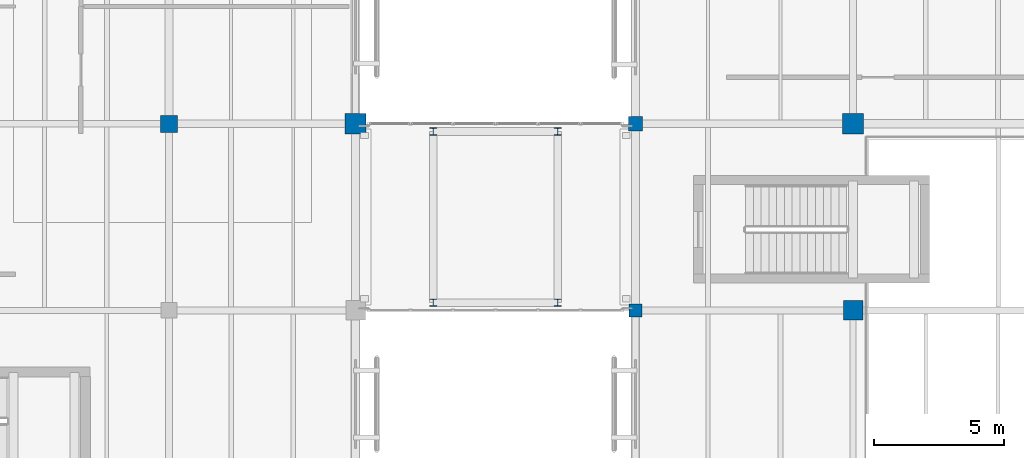
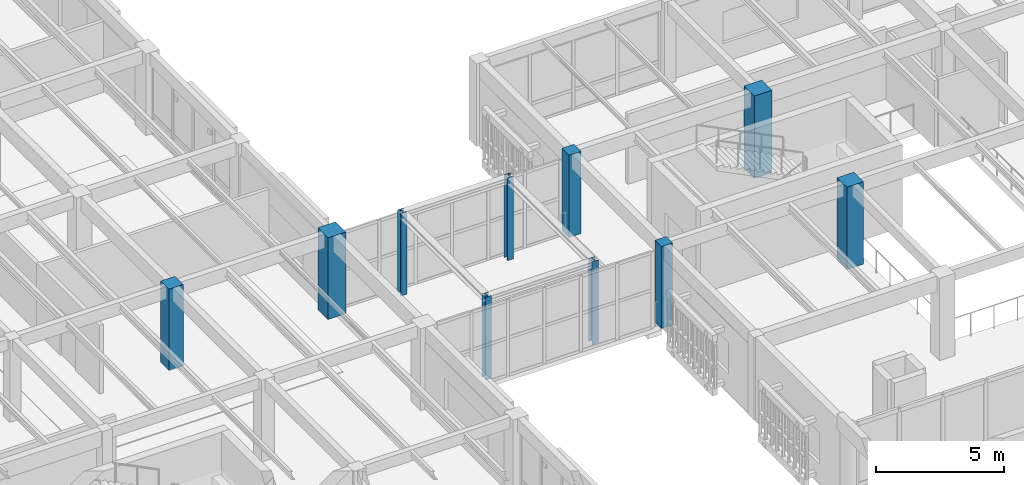
# One storey, part 2 of 170: 10 columns.
"""IFC4 building model written with IfcOpenShell, lengths in metres."""

from ifc_helpers import new_model, si_unit, direction, frame, origin, origin_2d, place, context, subcontext, project, spatial, rectangle, i_section, extrude, material, material_profile, profile_set, type_object, element, save


model = new_model("IFC4")

# Units and contexts
model_context = context("Model", 3, precision=1e-05, world=origin(), true_north=direction((0.0, 1.0)))
body_context = subcontext(model_context, "Body", "Model", "MODEL_VIEW")
ifc_project = project(units=[si_unit("LENGTHUNIT", "METRE"), si_unit("AREAUNIT", "SQUARE_METRE"), si_unit("VOLUMEUNIT", "CUBIC_METRE"), si_unit("PLANEANGLEUNIT", "RADIAN"), si_unit("MASSUNIT", "GRAM", prefix="KILO")], contexts=[model_context])

# Site, building, storey
site_placement = place(None, origin())
site = spatial("IfcSite", under=ifc_project, at=site_placement, CompositionType="ELEMENT")
building_placement = place(site_placement, origin())
building = spatial("IfcBuilding", under=site, at=building_placement, Name="Mazaris Harbour Polytechnic", CompositionType="ELEMENT")
storey_placement = place(building_placement, frame((0.0, 0.0, 5.39990234375)))
storey = spatial("IfcBuildingStorey", under=building, at=storey_placement, Name="L01", CompositionType="ELEMENT", Elevation=5.39990234375)

# Columns
ifc_material_1 = material(Name="Concrete C40/50", Category="concrete")
ifc_material_profile_1 = material_profile(ifc_material_1, rectangle(XDim=0.5, YDim=0.5, at=origin_2d()), Name="RECT500x500")
ifc_profile_set_1 = profile_set([ifc_material_profile_1], Name="Concrete C40/50")
column_type_1 = type_object("IfcColumnType", Name="RC Column 500x500 Exterior", PredefinedType="COLUMN", material=ifc_profile_set_1)
column_1_placement = place(storey_placement, frame((54.0, 21.60009765625, 0.0), z_axis=(0.0, 0.0, 1.0), x_axis=(1.0, 0.0, 0.0)))
element("IfcColumn", 1, at=column_1_placement, inside=storey, type_object=column_type_1, Name="V3 L01 Column 470", PredefinedType="COLUMN", context=body_context, shape_type="SweptSolid", body=[
    extrude(rectangle(XDim=0.5, YDim=0.5, at=origin_2d()), origin(), (0.0, 0.0, 1.0), 3.920166015625),
])
ifc_material_2 = material(Name="Concrete C40/50", Category="concrete")
ifc_material_profile_2 = material_profile(ifc_material_2, rectangle(XDim=0.550048828125, YDim=0.550048828125, at=origin_2d()), Name="RECT550x550")
ifc_profile_set_2 = profile_set([ifc_material_profile_2], Name="Concrete C40/50")
column_type_2 = type_object("IfcColumnType", Name="RC Column 550x550 Exterior", PredefinedType="COLUMN", material=ifc_profile_set_2)
column_2_placement = place(storey_placement, frame((54.0, 28.800048828125, 0.0), z_axis=(0.0, 0.0, 1.0), x_axis=(1.0, 0.0, 0.0)))
element("IfcColumn", 2, at=column_2_placement, inside=storey, type_object=column_type_2, Name="V3 L01 Column 471", PredefinedType="COLUMN", context=body_context, shape_type="SweptSolid", body=[
    extrude(rectangle(XDim=0.550048828125, YDim=0.550048828125, at=origin_2d()), origin(), (0.0, 0.0, 1.0), 3.920166015625),
])
ifc_material_3 = material(Name="Concrete C40/50", Category="concrete")
ifc_material_profile_3 = material_profile(ifc_material_3, rectangle(XDim=0.64990234375, YDim=0.64990234375, at=origin_2d()), Name="RECT650x650")
ifc_profile_set_3 = profile_set([ifc_material_profile_3], Name="Concrete C40/50")
column_type_3 = type_object("IfcColumnType", Name="RC Column 650x650", PredefinedType="COLUMN", material=ifc_profile_set_3)
column_3_placement = place(storey_placement, frame((36.0, 28.800048828125, 0.0), z_axis=(0.0, 0.0, 1.0), x_axis=(1.0, 0.0, 0.0)))
element("IfcColumn", 3, at=column_3_placement, inside=storey, type_object=column_type_3, Name="V4 L01 Column 793", PredefinedType="COLUMN", context=body_context, shape_type="SweptSolid", body=[
    extrude(rectangle(XDim=0.64990234375, YDim=0.64990234375, at=origin_2d()), origin(), (0.0, 0.0, 1.0), 3.89013671875),
])
ifc_material_4 = material(Name="Concrete C40/50", Category="concrete")
ifc_material_profile_4 = material_profile(ifc_material_4, rectangle(XDim=0.75, YDim=0.75, at=origin_2d()), Name="RECT750x750")
ifc_profile_set_4 = profile_set([ifc_material_profile_4], Name="Concrete C40/50")
column_type_4 = type_object("IfcColumnType", Name="RC Column 750x750", PredefinedType="COLUMN", material=ifc_profile_set_4)
column_4_placement = place(storey_placement, frame((62.39990234375, 21.60009765625, 0.0), z_axis=(0.0, 0.0, 1.0), x_axis=(1.0, 0.0, 0.0)))
element("IfcColumn", 4, at=column_4_placement, inside=storey, type_object=column_type_4, Name="V3 L01 Column 475", PredefinedType="COLUMN", context=body_context, shape_type="SweptSolid", body=[
    extrude(rectangle(XDim=0.75, YDim=0.75, at=origin_2d()), origin(), (0.0, 0.0, 1.0), 3.920166015625),
])
ifc_material_5 = material(Name="Concrete C40/50", Category="concrete")
ifc_material_profile_5 = material_profile(ifc_material_5, rectangle(XDim=0.800048828125, YDim=0.800048828125, at=origin_2d()), Name="RECT800x800")
ifc_profile_set_5 = profile_set([ifc_material_profile_5], Name="Concrete C40/50")
column_type_5 = type_object("IfcColumnType", Name="RC Column 800x800", PredefinedType="COLUMN", material=ifc_profile_set_5)
column_5_placement = place(storey_placement, frame((62.39990234375, 28.800048828125, 0.0), z_axis=(0.0, 0.0, 1.0), x_axis=(1.0, 0.0, 0.0)))
element("IfcColumn", 5, at=column_5_placement, inside=storey, type_object=column_type_5, Name="V3 L01 Column 476", PredefinedType="COLUMN", context=body_context, shape_type="SweptSolid", body=[
    extrude(rectangle(XDim=0.800048828125, YDim=0.800048828125, at=origin_2d()), origin(), (0.0, 0.0, 1.0), 3.920166015625),
])
ifc_material_6 = material(Name="Concrete C40/50", Category="concrete")
ifc_material_profile_6 = material_profile(ifc_material_6, rectangle(XDim=0.800048828125, YDim=0.800048828125, at=origin_2d()), Name="RECT800x800")
ifc_profile_set_6 = profile_set([ifc_material_profile_6], Name="Concrete C40/50")
column_type_6 = type_object("IfcColumnType", Name="RC Column 800x800 Exterior", PredefinedType="COLUMN", material=ifc_profile_set_6)
column_6_placement = place(storey_placement, frame((43.199951171875, 28.800048828125, 0.0), z_axis=(0.0, 0.0, 1.0), x_axis=(1.0, 0.0, 0.0)))
element("IfcColumn", 6, at=column_6_placement, inside=storey, type_object=column_type_6, Name="V4 L01 Column 806", PredefinedType="COLUMN", context=body_context, shape_type="SweptSolid", body=[
    extrude(rectangle(XDim=0.800048828125, YDim=0.800048828125, at=origin_2d()), origin(), (0.0, 0.0, 1.0), 3.89013671875),
])
ifc_material_7 = material(Name="Steel S355", Category="steel")
ifc_material_profile_7 = material_profile(ifc_material_7, i_section(OverallWidth=0.280029296875, OverallDepth=0.280029296875, WebThickness=0.010498046875, FlangeThickness=0.01806640625, FilletRadius=0.02392578125, at=origin_2d()), Name="HEB 280")
ifc_profile_set_7 = profile_set([ifc_material_profile_7], Name="Steel S355")
column_type_7 = type_object("IfcColumnType", Name="Steel Column HEB280 Exterior", PredefinedType="COLUMN", material=ifc_profile_set_7)
for number, where, z_axis, x_axis, name in (
    (7, (46.199951171875, 21.89990234375, 0.0), (0.0, 0.0, 1.0), (1.0, 0.0, 0.0), "PB-W1 L01 Bridge Column 1516"),
    (8, (51.0, 21.89990234375, 0.0), (0.0, 0.0, 1.0), (1.0, 0.0, 0.0), "PB-W1 L01 Bridge Column 1517"),
    (9, (46.199951171875, 28.5, 0.0), (0.0, 0.0, 1.0), (1.0, 0.0, 0.0), "PB-W1 L01 Bridge Column 1518"),
    (10, (51.0, 28.5, 0.0), (0.0, 0.0, 1.0), (1.0, 0.0, 0.0), "PB-W1 L01 Bridge Column 1519"),
):
    element("IfcColumn", number, at=place(storey_placement, frame(where, z_axis=z_axis, x_axis=x_axis)), inside=storey, type_object=column_type_7, Name=name, PredefinedType="COLUMN", context=body_context, shape_type="SweptSolid", body=[
        extrude(i_section(OverallWidth=0.280029296875, OverallDepth=0.280029296875, WebThickness=0.010498046875, FlangeThickness=0.01806640625, FilletRadius=0.02392578125, at=origin_2d()), origin(), (0.0, 0.0, 1.0), 3.93505859375),
    ])

save(model, "model.ifc")
